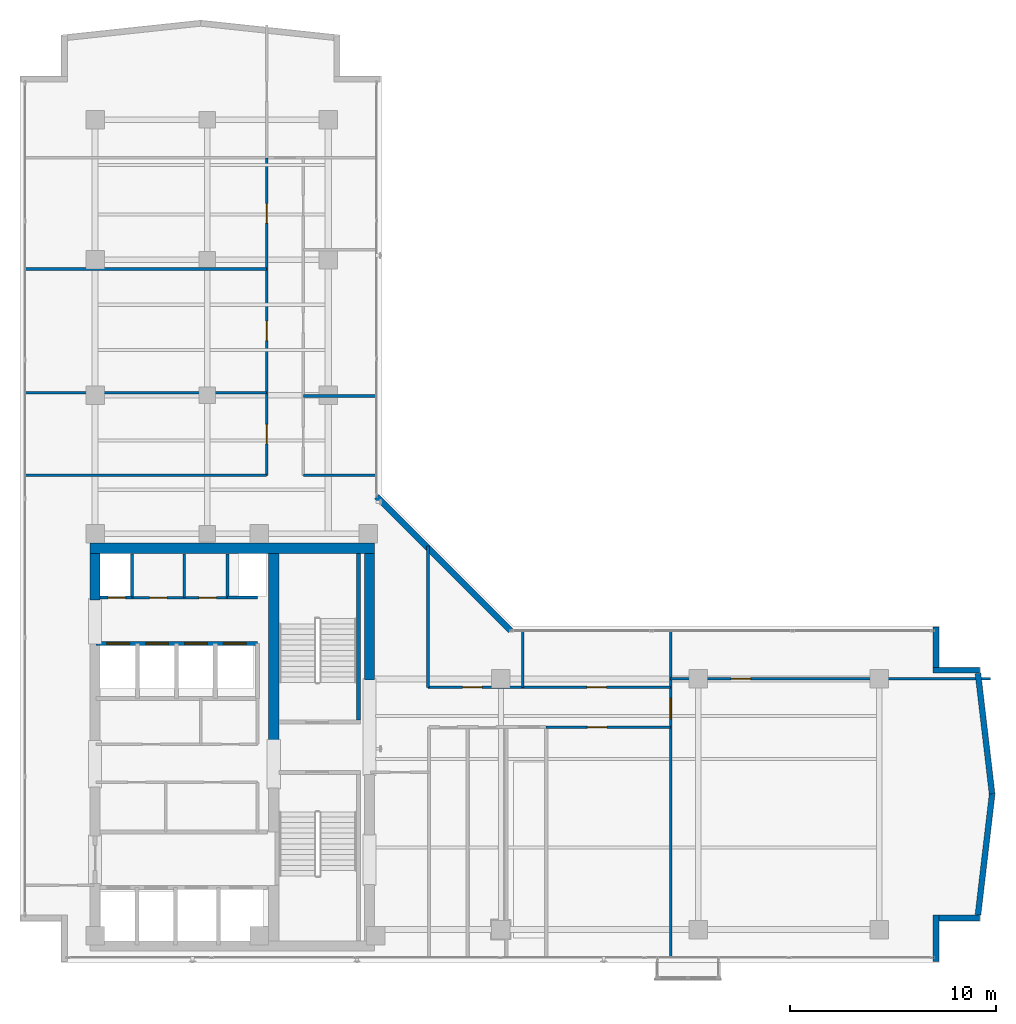
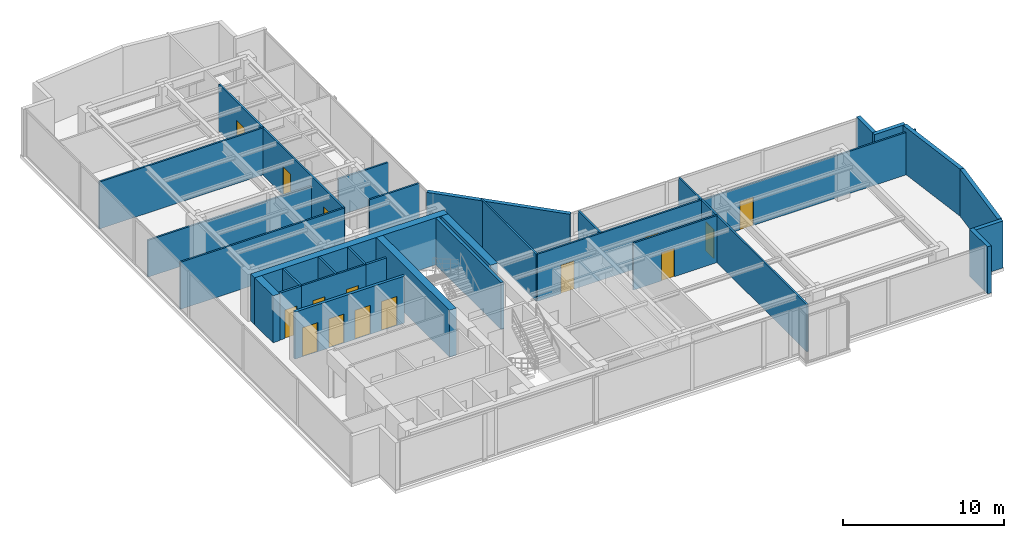
# One storey, part 18 of 23: 31 walls, 15 doors, 15 openings.
"""IFC4 building model written with IfcOpenShell, lengths in metres."""

from ifc_helpers import new_model, si_unit, direction, frame, frame_2d, origin, place, context, subcontext, project, spatial, rectangle, extrude, material, layer, layer_set, type_object, element, fill, save


model = new_model("IFC4")

# Units and contexts
model_context = context("Model", 3, precision=1e-05, world=origin(), true_north=direction((0.0, 1.0)))
body_context = subcontext(model_context, "Body", "Model", "MODEL_VIEW")
ifc_project = project(units=[si_unit("LENGTHUNIT", "METRE"), si_unit("AREAUNIT", "SQUARE_METRE"), si_unit("VOLUMEUNIT", "CUBIC_METRE"), si_unit("PLANEANGLEUNIT", "RADIAN"), si_unit("MASSUNIT", "GRAM", prefix="KILO")], contexts=[model_context])

# Site, building, storey
site_placement = place(None, origin())
site = spatial("IfcSite", under=ifc_project, at=site_placement, CompositionType="ELEMENT")
building_placement = place(site_placement, origin())
building = spatial("IfcBuilding", under=site, at=building_placement, Name="Kolvaren Waterfront Exchange", CompositionType="ELEMENT")
storey_placement = place(building_placement, frame((0.0, 0.0, 270.39990234375)))
storey = spatial("IfcBuildingStorey", under=building, at=storey_placement, Name="L69", CompositionType="ELEMENT", Elevation=270.39990234375)

# Walls
ifc_material_1 = material(Name="Precast concrete C40/50", Category="concrete")
ifc_layer_1 = layer(ifc_material_1, 0.280029296875, Name="Precast concrete C40/50")
ifc_layer_set_1 = layer_set([ifc_layer_1], Name="Precast concrete C40/50")
wall_type_1 = type_object("IfcWallType", Name="ARC-EXT-TERR-280", PredefinedType="SOLIDWALL", material=ifc_layer_set_1)
wall_1_placement = place(storey_placement, frame((48.3662109375, 3.659912109375, 0.0), z_axis=(0.0, 0.0, 1.0), x_axis=(0.0, 1.0, 0.0)))
element("IfcWall", 1, at=wall_1_placement, inside=storey, type_object=wall_type_1, Name="L69 notched corner spandrel pier SE-A", PredefinedType="SOLIDWALL", context=body_context, shape_type="SweptSolid", body=[
    extrude(rectangle(XDim=2.239990234375, YDim=0.280029296875, at=frame_2d((1.1201171875, 0.0))), origin(), (0.0, 0.0, 1.0), 3.56005859375),
])
wall_2_placement = place(storey_placement, frame((48.50634765625, 5.760009765625, 0.0), z_axis=(0.0, 0.0, 1.0), x_axis=(1.0, 0.0, 0.0)))
element("IfcWall", 2, at=wall_2_placement, inside=storey, type_object=wall_type_1, Name="L69 notched corner spandrel pier SE-B", PredefinedType="SOLIDWALL", context=body_context, shape_type="SweptSolid", body=[
    extrude(rectangle(XDim=1.9599609375, YDim=0.280029296875, at=frame_2d((0.97998046875, 0.0))), origin(), (0.0, 0.0, 1.0), 3.56005859375),
])
wall_3_placement = place(storey_placement, frame((48.3662109375, 17.94384765625, 0.0), z_axis=(0.0, 0.0, 1.0), x_axis=(0.0, 1.0, 0.0)))
element("IfcWall", 3, at=wall_3_placement, inside=storey, type_object=wall_type_1, Name="L69 notched corner spandrel pier ENE-A", PredefinedType="SOLIDWALL", context=body_context, shape_type="SweptSolid", body=[
    extrude(rectangle(XDim=1.97509765625, YDim=0.280029296875, at=frame_2d((0.987548828125, 0.0))), origin(), (0.0, 0.0, 1.0), 3.56005859375),
])
wall_4_placement = place(storey_placement, frame((48.226318359375, 17.81884765625, 0.0), z_axis=(0.0, 0.0, 1.0), x_axis=(1.0, 0.0, 0.0)))
element("IfcWall", 4, at=wall_4_placement, inside=storey, type_object=wall_type_1, Name="L69 notched corner spandrel pier ENE-B", PredefinedType="SOLIDWALL", context=body_context, shape_type="SweptSolid", body=[
    extrude(rectangle(XDim=2.239990234375, YDim=0.280029296875, at=frame_2d((1.1201171875, 0.0))), origin(), (0.0, 0.0, 1.0), 3.56005859375),
])
wall_5_placement = place(storey_placement, frame((27.663818359375, 19.75390625, 0.0), z_axis=(0.0, 0.0, 1.0), x_axis=(-0.707106781187, 0.707106781187, 0.0)))
element("IfcWall", 5, at=wall_5_placement, inside=storey, type_object=wall_type_1, Name="L69 notched corner spandrel pier ELBOW", PredefinedType="SOLIDWALL", context=body_context, shape_type="SweptSolid", body=[
    extrude(rectangle(XDim=9.20654296875, YDim=0.280029296875, at=frame_2d((4.603271484375, 0.0))), origin(), (0.0, 0.0, 1.0), 3.56005859375),
])
wall_6_placement = place(storey_placement, frame((50.40234375, 5.91650390625, 0.0), z_axis=(0.0, 0.0, 1.0), x_axis=(0.116534559493, 0.993186637266, 0.0)))
element("IfcWall", 6, at=wall_6_placement, inside=storey, type_object=wall_type_1, Name="L69 east prow faceted facade wall 1", PredefinedType="SOLIDWALL", context=body_context, shape_type="SweptSolid", body=[
    extrude(rectangle(XDim=5.912109375, YDim=0.280029296875, at=frame_2d((2.9560546875, 0.0))), origin(), (0.0, 0.0, 1.0), 3.56005859375),
])
wall_7_placement = place(storey_placement, frame((51.09130859375, 11.790771484375, 0.0), z_axis=(0.0, 0.0, 1.0), x_axis=(-0.116539339197, 0.993186076433, 0.0)))
element("IfcWall", 7, at=wall_7_placement, inside=storey, type_object=wall_type_1, Name="L69 east prow faceted facade wall 2", PredefinedType="SOLIDWALL", context=body_context, shape_type="SweptSolid", body=[
    extrude(rectangle(XDim=5.911865234375, YDim=0.280029296875, at=frame_2d((2.9560546875, 0.0))), origin(), (0.0, 0.0, 1.0), 3.56005859375),
])

# Wall, openings, doors
ifc_material_2 = material(Name="Acoustic gypsum steel stud", Category="steel")
ifc_layer_2 = layer(ifc_material_2, 0.125, Name="Acoustic gypsum steel stud")
ifc_layer_set_2 = layer_set([ifc_layer_2], Name="Acoustic gypsum steel stud")
wall_type_2 = type_object("IfcWallType", Name="ARC-PART-125", PredefinedType="PARTITIONING", material=ifc_layer_set_2)
wall_8_placement = place(storey_placement, frame((9.25, 21.35009765625, 0.0), z_axis=(0.0, 0.0, 1.0), x_axis=(1.0, 0.0, 0.0)))
wall_8 = element("IfcWall", 8, at=wall_8_placement, inside=storey, type_object=wall_type_2, Name="L69 interior wall PW-L69-SVC-HI-S", PredefinedType="PARTITIONING", context=body_context, shape_type="SweptSolid", body=[
    extrude(rectangle(XDim=4.64990234375, YDim=0.125, at=frame_2d((2.324951171875, 0.0))), origin(), (0.0, 0.0, 1.0), 3.56005859375),
])
opening_1_placement = place(wall_8_placement, frame((0.85009765625, 0.0, 0.0)))
opening_1 = element("IfcOpeningElement", 9, at=opening_1_placement, cuts=wall_8, Name="Opening D01", PredefinedType="OPENING", context=body_context, shape_type="SweptSolid", body=[
    extrude(rectangle(XDim=0.85009765625, YDim=2.14990234375, at=frame_2d((0.425048828125, 1.074951171875))), frame((0.0, 0.072509765625, 0.0), z_axis=(0.0, -1.0, 0.0), x_axis=(1.0, 0.0, 0.0)), (0.0, 0.0, 1.0), 0.14501953125),
])
opening_2_placement = place(wall_8_placement, frame((3.25, 0.0, 0.0)))
opening_2 = element("IfcOpeningElement", 10, at=opening_2_placement, cuts=wall_8, Name="Opening D01", PredefinedType="OPENING", context=body_context, shape_type="SweptSolid", body=[
    extrude(rectangle(XDim=0.85009765625, YDim=2.14990234375, at=frame_2d((0.425048828125, 1.074951171875))), frame((0.0, 0.072509765625, 0.0), z_axis=(0.0, -1.0, 0.0), x_axis=(1.0, 0.0, 0.0)), (0.0, 0.0, 1.0), 0.14501953125),
])
ifc_material_3 = material(Name="Oak veneer timber leaf", Category="wood")
door_type_1 = type_object("IfcDoorType", Name="ARC-DR-900", OperationType="NOTDEFINED", PredefinedType="DOOR", material=ifc_material_3)
door_1_placement = place(opening_1_placement, origin())
door_1 = element("IfcDoor", 11, at=door_1_placement, inside=storey, type_object=door_type_1, Name="L69 door DR-L69-SVC-DR-1 (D01)", OperationType="SINGLE_SWING_LEFT", OverallHeight=2.14990234375, OverallWidth=0.85009765625, PredefinedType="DOOR", context=body_context, shape_type="SweptSolid", body=[
    extrude(rectangle(XDim=0.85009765625, YDim=2.14990234375, at=frame_2d((0.425048828125, 1.074951171875))), frame((0.0, 0.02490234375, 0.0), z_axis=(0.0, -1.0, 0.0), x_axis=(1.0, 0.0, 0.0)), (0.0, 0.0, 1.0), 0.050048828125),
])
fill(opening_1, door_1)
door_2_placement = place(opening_2_placement, origin())
door_2 = element("IfcDoor", 12, at=door_2_placement, inside=storey, type_object=door_type_1, Name="L69 door DR-L69-SVC-DR-2 (D01)", OperationType="SINGLE_SWING_RIGHT", OverallHeight=2.14990234375, OverallWidth=0.85009765625, PredefinedType="DOOR", context=body_context, shape_type="SweptSolid", body=[
    extrude(rectangle(XDim=0.85009765625, YDim=2.14990234375, at=frame_2d((0.425048828125, 1.074951171875))), frame((0.0, 0.02490234375, 0.0), z_axis=(0.0, -1.0, 0.0), x_axis=(1.0, 0.0, 0.0)), (0.0, 0.0, 1.0), 0.050048828125),
])
fill(opening_2, door_2)

# Wall
wall_9_placement = place(storey_placement, frame((11.800048828125, 21.35009765625, 0.0), z_axis=(0.0, 0.0, 1.0), x_axis=(0.0, 1.0, 0.0)))
element("IfcWall", 13, at=wall_9_placement, inside=storey, type_object=wall_type_2, Name="L69 interior wall PW-L69-SVC-HI-M", PredefinedType="PARTITIONING", context=body_context, shape_type="SweptSolid", body=[
    extrude(rectangle(XDim=2.1298828125, YDim=0.125, at=frame_2d((1.06494140625, 0.0))), origin(), (0.0, 0.0, 1.0), 3.56005859375),
])

# Wall, opening, door
wall_10_placement = place(storey_placement, frame((29.39990234375, 15.050048828125, 0.0), z_axis=(0.0, 0.0, 1.0), x_axis=(1.0, 0.0, 0.0)))
wall_10 = element("IfcWall", 14, at=wall_10_placement, inside=storey, type_object=wall_type_2, Name="L69 interior wall PW-L69-ES-CORR", PredefinedType="PARTITIONING", context=body_context, shape_type="SweptSolid", body=[
    extrude(rectangle(XDim=6.050048828125, YDim=0.125, at=frame_2d((3.02490234375, 0.0))), origin(), (0.0, 0.0, 1.0), 3.56005859375),
])
opening_3_placement = place(wall_10_placement, frame((2.002197265625, 0.0, 0.0)))
opening_3 = element("IfcOpeningElement", 15, at=opening_3_placement, cuts=wall_10, Name="Opening D02", PredefinedType="OPENING", context=body_context, shape_type="SweptSolid", body=[
    extrude(rectangle(XDim=0.949951171875, YDim=2.14990234375, at=frame_2d((0.47509765625, 1.074951171875))), frame((0.0, 0.072509765625, 0.0), z_axis=(0.0, -1.0, 0.0), x_axis=(1.0, 0.0, 0.0)), (0.0, 0.0, 1.0), 0.14501953125),
])
ifc_material_4 = material(Name="Oak veneer acoustic timber", Category="wood")
door_type_2 = type_object("IfcDoorType", Name="ARC-DR-950", OperationType="NOTDEFINED", PredefinedType="DOOR", material=ifc_material_4)
door_3_placement = place(opening_3_placement, origin())
door_3 = element("IfcDoor", 16, at=door_3_placement, inside=storey, type_object=door_type_2, Name="L69 door DR-L69-ES-D-1 (D02)", OperationType="SINGLE_SWING_RIGHT", OverallHeight=2.14990234375, OverallWidth=0.949951171875, PredefinedType="DOOR", context=body_context, shape_type="SweptSolid", body=[
    extrude(rectangle(XDim=0.949951171875, YDim=2.14990234375, at=frame_2d((0.47509765625, 1.074951171875))), frame((0.0, 0.02490234375, 0.0), z_axis=(0.0, -1.0, 0.0), x_axis=(1.0, 0.0, 0.0)), (0.0, 0.0, 1.0), 0.050048828125),
])
fill(opening_3, door_3)

wall_11_placement = place(storey_placement, frame((35.449951171875, 3.840087890625, 0.0), z_axis=(0.0, 0.0, 1.0), x_axis=(0.0, 1.0, 0.0)))
wall_11 = element("IfcWall", 17, at=wall_11_placement, inside=storey, type_object=wall_type_2, Name="L69 interior wall PW-L69-ETIP-W", PredefinedType="PARTITIONING", context=body_context, shape_type="SweptSolid", body=[
    extrude(rectangle(XDim=15.919921875, YDim=0.125, at=frame_2d((7.9599609375, 0.0))), origin(), (0.0, 0.0, 1.0), 3.56005859375),
])
opening_4_placement = place(wall_11_placement, frame((11.610107421875, 0.0, 0.0)))
opening_4 = element("IfcOpeningElement", 18, at=opening_4_placement, cuts=wall_11, Name="Opening D03", PredefinedType="OPENING", context=body_context, shape_type="SweptSolid", body=[
    extrude(rectangle(XDim=1.0, YDim=2.199951171875, at=frame_2d((0.5, 1.10009765625))), frame((0.0, 0.072509765625, 0.0), z_axis=(0.0, -1.0, 0.0), x_axis=(1.0, 0.0, 0.0)), (0.0, 0.0, 1.0), 0.14501953125),
])
ifc_material_5 = material(Name="Oak veneer accessible timber", Category="wood")
door_type_3 = type_object("IfcDoorType", Name="ARC-DR-1000", OperationType="NOTDEFINED", PredefinedType="DOOR", material=ifc_material_5)
door_4_placement = place(opening_4_placement, origin())
door_4 = element("IfcDoor", 19, at=door_4_placement, inside=storey, type_object=door_type_3, Name="L69 door DR-L69-ETIP1-D (D03)", OperationType="SINGLE_SWING_LEFT", OverallHeight=2.199951171875, OverallWidth=1.0, PredefinedType="DOOR", context=body_context, shape_type="SweptSolid", body=[
    extrude(rectangle(XDim=1.0, YDim=2.199951171875, at=frame_2d((0.5, 1.10009765625))), frame((0.0, 0.02490234375, 0.0), z_axis=(0.0, -1.0, 0.0), x_axis=(1.0, 0.0, 0.0)), (0.0, 0.0, 1.0), 0.050048828125),
])
fill(opening_4, door_4)

wall_12_placement = place(storey_placement, frame((35.449951171875, 17.39990234375, 0.0), z_axis=(0.0, 0.0, 1.0), x_axis=(1.0, 0.0, 0.0)))
wall_12 = element("IfcWall", 20, at=wall_12_placement, inside=storey, type_object=wall_type_2, Name="L69 interior wall PW-L69-ETIP-MID", PredefinedType="PARTITIONING", context=body_context, shape_type="SweptSolid", body=[
    extrude(rectangle(XDim=15.562744140625, YDim=0.125, at=frame_2d((7.78125, 0.0))), origin(), (0.0, 0.0, 1.0), 3.2001953125),
])
opening_5_placement = place(wall_12_placement, frame((2.949951171875, 0.0, 0.0)))
opening_5 = element("IfcOpeningElement", 21, at=opening_5_placement, cuts=wall_12, Name="Opening D02", PredefinedType="OPENING", context=body_context, shape_type="SweptSolid", body=[
    extrude(rectangle(XDim=0.949951171875, YDim=2.14990234375, at=frame_2d((0.47509765625, 1.074951171875))), frame((0.0, 0.072509765625, 0.0), z_axis=(0.0, -1.0, 0.0), x_axis=(1.0, 0.0, 0.0)), (0.0, 0.0, 1.0), 0.14501953125),
])
door_5_placement = place(opening_5_placement, origin())
door_5 = element("IfcDoor", 22, at=door_5_placement, inside=storey, type_object=door_type_2, Name="L69 door DR-L69-ETIP2-D (D02)", OperationType="SINGLE_SWING_RIGHT", OverallHeight=2.14990234375, OverallWidth=0.949951171875, PredefinedType="DOOR", context=body_context, shape_type="SweptSolid", body=[
    extrude(rectangle(XDim=0.949951171875, YDim=2.14990234375, at=frame_2d((0.47509765625, 1.074951171875))), frame((0.0, 0.02490234375, 0.0), z_axis=(0.0, -1.0, 0.0), x_axis=(1.0, 0.0, 0.0)), (0.0, 0.0, 1.0), 0.050048828125),
])
fill(opening_5, door_5)

# Wall
wall_13_placement = place(storey_placement, frame((23.64990234375, 16.989990234375, 0.0), z_axis=(0.0, 0.0, 1.0), x_axis=(0.0, 1.0, 0.0)))
element("IfcWall", 23, at=wall_13_placement, inside=storey, type_object=wall_type_2, Name="L69 interior wall PW-L69-EN-W0", PredefinedType="PARTITIONING", context=body_context, shape_type="SweptSolid", body=[
    extrude(rectangle(XDim=6.8779296875, YDim=0.125, at=frame_2d((3.43896484375, 0.0))), origin(), (0.0, 0.0, 1.0), 3.56005859375),
])

# Wall, openings, doors
wall_14_placement = place(storey_placement, frame((23.64990234375, 16.989990234375, 0.0), z_axis=(0.0, 0.0, 1.0), x_axis=(1.0, 0.0, 0.0)))
wall_14 = element("IfcWall", 24, at=wall_14_placement, inside=storey, type_object=wall_type_2, Name="L69 interior wall PW-L69-EN-CORR", PredefinedType="PARTITIONING", context=body_context, shape_type="SweptSolid", body=[
    extrude(rectangle(XDim=11.800048828125, YDim=0.125, at=frame_2d((5.89990234375, 0.0))), origin(), (0.0, 0.0, 1.0), 3.56005859375),
])
opening_6_placement = place(wall_14_placement, frame((1.6826171875, 0.0, 0.0)))
opening_6 = element("IfcOpeningElement", 25, at=opening_6_placement, cuts=wall_14, Name="Opening D02", PredefinedType="OPENING", context=body_context, shape_type="SweptSolid", body=[
    extrude(rectangle(XDim=0.949951171875, YDim=2.14990234375, at=frame_2d((0.47509765625, 1.074951171875))), frame((0.0, 0.072509765625, 0.0), z_axis=(0.0, -1.0, 0.0), x_axis=(1.0, 0.0, 0.0)), (0.0, 0.0, 1.0), 0.14501953125),
])
opening_7_placement = place(wall_14_placement, frame((7.72509765625, 0.0, 0.0)))
opening_7 = element("IfcOpeningElement", 26, at=opening_7_placement, cuts=wall_14, Name="Opening D02", PredefinedType="OPENING", context=body_context, shape_type="SweptSolid", body=[
    extrude(rectangle(XDim=0.949951171875, YDim=2.14990234375, at=frame_2d((0.47509765625, 1.074951171875))), frame((0.0, 0.072509765625, 0.0), z_axis=(0.0, -1.0, 0.0), x_axis=(1.0, 0.0, 0.0)), (0.0, 0.0, 1.0), 0.14501953125),
])
door_6_placement = place(opening_6_placement, origin())
door_6 = element("IfcDoor", 27, at=door_6_placement, inside=storey, type_object=door_type_2, Name="L69 door DR-L69-EN-D-1 (D02)", OperationType="SINGLE_SWING_LEFT", OverallHeight=2.14990234375, OverallWidth=0.949951171875, PredefinedType="DOOR", context=body_context, shape_type="SweptSolid", body=[
    extrude(rectangle(XDim=0.949951171875, YDim=2.14990234375, at=frame_2d((0.47509765625, 1.074951171875))), frame((0.0, 0.02490234375, 0.0), z_axis=(0.0, -1.0, 0.0), x_axis=(1.0, 0.0, 0.0)), (0.0, 0.0, 1.0), 0.050048828125),
])
fill(opening_6, door_6)
door_7_placement = place(opening_7_placement, origin())
door_7 = element("IfcDoor", 28, at=door_7_placement, inside=storey, type_object=door_type_2, Name="L69 door DR-L69-EN-D-2 (D02)", OperationType="SINGLE_SWING_RIGHT", OverallHeight=2.14990234375, OverallWidth=0.949951171875, PredefinedType="DOOR", context=body_context, shape_type="SweptSolid", body=[
    extrude(rectangle(XDim=0.949951171875, YDim=2.14990234375, at=frame_2d((0.47509765625, 1.074951171875))), frame((0.0, 0.02490234375, 0.0), z_axis=(0.0, -1.0, 0.0), x_axis=(1.0, 0.0, 0.0)), (0.0, 0.0, 1.0), 0.050048828125),
])
fill(opening_7, door_7)

# Walls
wall_15_placement = place(storey_placement, frame((28.25, 16.989990234375, 0.0), z_axis=(0.0, 0.0, 1.0), x_axis=(0.0, 1.0, 0.0)))
element("IfcWall", 29, at=wall_15_placement, inside=storey, type_object=wall_type_2, Name="L69 interior wall PW-L69-EN-DIV-1", PredefinedType="PARTITIONING", context=body_context, shape_type="SweptSolid", body=[
    extrude(rectangle(XDim=2.77001953125, YDim=0.125, at=frame_2d((1.385009765625, 0.0))), origin(), (0.0, 0.0, 1.0), 3.56005859375),
])
wall_16_placement = place(storey_placement, frame((4.0400390625, 27.300048828125, 0.0), z_axis=(0.0, 0.0, 1.0), x_axis=(1.0, 0.0, 0.0)))
element("IfcWall", 30, at=wall_16_placement, inside=storey, type_object=wall_type_2, Name="L69 interior wall PW-L69-NW-S0", PredefinedType="PARTITIONING", context=body_context, shape_type="SweptSolid", body=[
    extrude(rectangle(XDim=11.760009765625, YDim=0.125, at=frame_2d((5.8798828125, 0.0))), origin(), (0.0, 0.0, 1.0), 3.56005859375),
])

# Wall, openings, doors
wall_17_placement = place(storey_placement, frame((15.800048828125, 27.300048828125, 0.0), z_axis=(0.0, 0.0, 1.0), x_axis=(0.0, 1.0, 0.0)))
wall_17 = element("IfcWall", 31, at=wall_17_placement, inside=storey, type_object=wall_type_2, Name="L69 interior wall PW-L69-NW-CORR", PredefinedType="PARTITIONING", context=body_context, shape_type="SweptSolid", body=[
    extrude(rectangle(XDim=15.449951171875, YDim=0.125, at=frame_2d((7.72509765625, 0.0))), origin(), (0.0, 0.0, 1.0), 3.56005859375),
])
opening_8_placement = place(wall_17_placement, frame((1.534912109375, 0.0, 0.0)))
opening_8 = element("IfcOpeningElement", 32, at=opening_8_placement, cuts=wall_17, Name="Opening D02", PredefinedType="OPENING", context=body_context, shape_type="SweptSolid", body=[
    extrude(rectangle(XDim=0.949951171875, YDim=2.14990234375, at=frame_2d((0.47509765625, 1.074951171875))), frame((0.0, 0.072509765625, 0.0), z_axis=(0.0, -1.0, 0.0), x_axis=(1.0, 0.0, 0.0)), (0.0, 0.0, 1.0), 0.14501953125),
])
opening_9_placement = place(wall_17_placement, frame((6.554931640625, 0.0, 0.0)))
opening_9 = element("IfcOpeningElement", 33, at=opening_9_placement, cuts=wall_17, Name="Opening D02", PredefinedType="OPENING", context=body_context, shape_type="SweptSolid", body=[
    extrude(rectangle(XDim=0.949951171875, YDim=2.14990234375, at=frame_2d((0.47509765625, 1.074951171875))), frame((0.0, 0.072509765625, 0.0), z_axis=(0.0, -1.0, 0.0), x_axis=(1.0, 0.0, 0.0)), (0.0, 0.0, 1.0), 0.14501953125),
])
opening_10_placement = place(wall_17_placement, frame((12.27001953125, 0.0, 0.0)))
opening_10 = element("IfcOpeningElement", 34, at=opening_10_placement, cuts=wall_17, Name="Opening D02", PredefinedType="OPENING", context=body_context, shape_type="SweptSolid", body=[
    extrude(rectangle(XDim=0.949951171875, YDim=2.14990234375, at=frame_2d((0.47509765625, 1.074951171875))), frame((0.0, 0.072509765625, 0.0), z_axis=(0.0, -1.0, 0.0), x_axis=(1.0, 0.0, 0.0)), (0.0, 0.0, 1.0), 0.14501953125),
])
door_8_placement = place(opening_8_placement, origin())
door_8 = element("IfcDoor", 35, at=door_8_placement, inside=storey, type_object=door_type_2, Name="L69 door DR-L69-NW-D-1 (D02)", OperationType="SINGLE_SWING_LEFT", OverallHeight=2.14990234375, OverallWidth=0.949951171875, PredefinedType="DOOR", context=body_context, shape_type="SweptSolid", body=[
    extrude(rectangle(XDim=0.949951171875, YDim=2.14990234375, at=frame_2d((0.47509765625, 1.074951171875))), frame((0.0, 0.02490234375, 0.0), z_axis=(0.0, -1.0, 0.0), x_axis=(1.0, 0.0, 0.0)), (0.0, 0.0, 1.0), 0.050048828125),
])
fill(opening_8, door_8)
door_9_placement = place(opening_9_placement, origin())
door_9 = element("IfcDoor", 36, at=door_9_placement, inside=storey, type_object=door_type_2, Name="L69 door DR-L69-NW-D-2 (D02)", OperationType="SINGLE_SWING_RIGHT", OverallHeight=2.14990234375, OverallWidth=0.949951171875, PredefinedType="DOOR", context=body_context, shape_type="SweptSolid", body=[
    extrude(rectangle(XDim=0.949951171875, YDim=2.14990234375, at=frame_2d((0.47509765625, 1.074951171875))), frame((0.0, 0.02490234375, 0.0), z_axis=(0.0, -1.0, 0.0), x_axis=(1.0, 0.0, 0.0)), (0.0, 0.0, 1.0), 0.050048828125),
])
fill(opening_9, door_9)
door_10_placement = place(opening_10_placement, origin())
door_10 = element("IfcDoor", 37, at=door_10_placement, inside=storey, type_object=door_type_2, Name="L69 door DR-L69-NW-D-3 (D02)", OperationType="SINGLE_SWING_LEFT", OverallHeight=2.14990234375, OverallWidth=0.949951171875, PredefinedType="DOOR", context=body_context, shape_type="SweptSolid", body=[
    extrude(rectangle(XDim=0.949951171875, YDim=2.14990234375, at=frame_2d((0.47509765625, 1.074951171875))), frame((0.0, 0.02490234375, 0.0), z_axis=(0.0, -1.0, 0.0), x_axis=(1.0, 0.0, 0.0)), (0.0, 0.0, 1.0), 0.050048828125),
])
fill(opening_10, door_10)

# Walls
wall_18_placement = place(storey_placement, frame((4.0400390625, 31.320068359375, 0.0), z_axis=(0.0, 0.0, 1.0), x_axis=(1.0, 0.0, 0.0)))
element("IfcWall", 38, at=wall_18_placement, inside=storey, type_object=wall_type_2, Name="L69 interior wall PW-L69-NW-DIV-1", PredefinedType="PARTITIONING", context=body_context, shape_type="SweptSolid", body=[
    extrude(rectangle(XDim=11.760009765625, YDim=0.125, at=frame_2d((5.8798828125, 0.0))), origin(), (0.0, 0.0, 1.0), 2.798095703125),
])
wall_19_placement = place(storey_placement, frame((4.0400390625, 37.340087890625, 0.0), z_axis=(0.0, 0.0, 1.0), x_axis=(1.0, 0.0, 0.0)))
element("IfcWall", 39, at=wall_19_placement, inside=storey, type_object=wall_type_2, Name="L69 interior wall PW-L69-NW-DIV-2", PredefinedType="PARTITIONING", context=body_context, shape_type="SweptSolid", body=[
    extrude(rectangle(XDim=11.760009765625, YDim=0.125, at=frame_2d((5.8798828125, 0.0))), origin(), (0.0, 0.0, 1.0), 3.56005859375),
])
wall_20_placement = place(storey_placement, frame((17.580078125, 27.300048828125, 0.0), z_axis=(0.0, 0.0, 1.0), x_axis=(1.0, 0.0, 0.0)))
element("IfcWall", 40, at=wall_20_placement, inside=storey, type_object=wall_type_2, Name="L69 interior wall PW-L69-NE-S0", PredefinedType="PARTITIONING", context=body_context, shape_type="SweptSolid", body=[
    extrude(rectangle(XDim=3.579833984375, YDim=0.125, at=frame_2d((1.7900390625, 0.0))), origin(), (0.0, 0.0, 1.0), 3.56005859375),
])
wall_21_placement = place(storey_placement, frame((17.580078125, 31.159912109375, 0.0), z_axis=(0.0, 0.0, 1.0), x_axis=(1.0, 0.0, 0.0)))
element("IfcWall", 41, at=wall_21_placement, inside=storey, type_object=wall_type_2, Name="L69 interior wall PW-L69-NE-DIV-1", PredefinedType="PARTITIONING", context=body_context, shape_type="SweptSolid", body=[
    extrude(rectangle(XDim=3.579833984375, YDim=0.125, at=frame_2d((1.7900390625, 0.0))), origin(), (0.0, 0.0, 1.0), 2.798095703125),
])
ifc_material_6 = material(Name="Gypsum fireboard steel stud", Category="steel")
ifc_layer_3 = layer(ifc_material_6, 0.14990234375, Name="Gypsum fireboard steel stud")
ifc_layer_set_3 = layer_set([ifc_layer_3], Name="Gypsum fireboard steel stud")
wall_type_3 = type_object("IfcWallType", Name="ARC-PART-150", PredefinedType="PARTITIONING", material=ifc_layer_set_3)
for number, where, z_axis, x_axis, name in (
    (42, (9.25, 21.35009765625, 0.0), (0.0, 0.0, 1.0), (0.0, 1.0, 0.0), "L69 interior wall PW-L69-SVC-R1"),
    (43, (13.89990234375, 21.35009765625, 0.0), (0.0, 0.0, 1.0), (0.0, 1.0, 0.0), "L69 interior wall PW-L69-SVC-R2"),
):
    element("IfcWall", number, at=place(storey_placement, frame(where, z_axis=z_axis, x_axis=x_axis)), inside=storey, type_object=wall_type_3, Name=name, PredefinedType="PARTITIONING", context=body_context, shape_type="SweptSolid", body=[
        extrude(rectangle(XDim=2.1298828125, YDim=0.14990234375, at=frame_2d((1.06494140625, 0.0))), origin(), (0.0, 0.0, 1.0), 3.56005859375),
    ])

# Wall, opening, door
wall_22_placement = place(storey_placement, frame((7.699951171875, 21.35009765625, 0.0), z_axis=(0.0, 0.0, 1.0), x_axis=(1.0, 0.0, 0.0)))
wall_22 = element("IfcWall", 44, at=wall_22_placement, inside=storey, type_object=wall_type_3, Name="L69 interior wall PW-L69-SVC-RE-S", PredefinedType="PARTITIONING", context=body_context, shape_type="SweptSolid", body=[
    extrude(rectangle(XDim=1.550048828125, YDim=0.14990234375, at=frame_2d((0.77490234375, 0.0))), origin(), (0.0, 0.0, 1.0), 3.56005859375),
])
opening_11_placement = place(wall_22_placement, frame((0.389892578125, 0.0, 0.0)))
opening_11 = element("IfcOpeningElement", 45, at=opening_11_placement, cuts=wall_22, Name="Opening FD1", PredefinedType="OPENING", context=body_context, shape_type="SweptSolid", body=[
    extrude(rectangle(XDim=0.85009765625, YDim=2.14990234375, at=frame_2d((0.425048828125, 1.074951171875))), frame((0.0, 0.0849609375, 0.0), z_axis=(0.0, -1.0, 0.0), x_axis=(1.0, 0.0, 0.0)), (0.0, 0.0, 1.0), 0.169921875),
])
ifc_material_7 = material(Name="Pressed steel fire leaf", Category="steel")
door_type_4 = type_object("IfcDoorType", Name="ARC-FD-900", OperationType="NOTDEFINED", PredefinedType="DOOR", material=ifc_material_7)
door_11_placement = place(opening_11_placement, origin())
door_11 = element("IfcDoor", 46, at=door_11_placement, inside=storey, type_object=door_type_4, Name="L69 door DR-L69-RISER-E-DR (FD1)", OperationType="SINGLE_SWING_RIGHT", OverallHeight=2.14990234375, OverallWidth=0.85009765625, PredefinedType="DOOR", context=body_context, shape_type="SweptSolid", body=[
    extrude(rectangle(XDim=0.85009765625, YDim=2.14990234375, at=frame_2d((0.425048828125, 1.074951171875))), frame((0.0, 0.02490234375, 0.0), z_axis=(0.0, -1.0, 0.0), x_axis=(1.0, 0.0, 0.0)), (0.0, 0.0, 1.0), 0.050048828125),
])
fill(opening_11, door_11)

# Walls
wall_23_placement = place(storey_placement, frame((13.89990234375, 21.35009765625, 0.0), z_axis=(0.0, 0.0, 1.0), x_axis=(1.0, 0.0, 0.0)))
element("IfcWall", 47, at=wall_23_placement, inside=storey, type_object=wall_type_3, Name="L69 interior wall PW-L69-SVC-RP-S", PredefinedType="PARTITIONING", context=body_context, shape_type="SweptSolid", body=[
    extrude(rectangle(XDim=1.4501953125, YDim=0.14990234375, at=frame_2d((0.72509765625, 0.0))), origin(), (0.0, 0.0, 1.0), 3.56005859375),
])
ifc_material_8 = material(Name="Concrete C40/50", Category="concrete")
ifc_layer_4 = layer(ifc_material_8, 0.199951171875, Name="Concrete C40/50")
ifc_layer_set_4 = layer_set([ifc_layer_4], Name="Concrete C40/50")
wall_type_4 = type_object("IfcWallType", Name="ARC-SHAFT-200", PredefinedType="PARTITIONING", material=ifc_layer_set_4)
wall_24_placement = place(storey_placement, frame((20.260009765625, 15.39990234375, 0.0), z_axis=(0.0, 0.0, 1.0), x_axis=(0.0, 1.0, 0.0)))
element("IfcWall", 48, at=wall_24_placement, inside=storey, type_object=wall_type_4, Name="L69 structural stairwell wall PW-L69-ST2-E", PredefinedType="SHEAR", context=body_context, shape_type="SweptSolid", body=[
    extrude(rectangle(XDim=8.090087890625, YDim=0.199951171875, at=frame_2d((4.044921875, 0.0))), origin(), (0.0, 0.0, 1.0), 3.56005859375),
])

# Wall, openings, doors
wall_25_placement = place(storey_placement, frame((7.5, 19.1201171875, 0.0), z_axis=(0.0, 0.0, 1.0), x_axis=(1.0, 0.0, 0.0)))
wall_25 = element("IfcWall", 49, at=wall_25_placement, inside=storey, type_object=wall_type_4, Name="L69 interior wall PW-L69-PH-N", PredefinedType="PARTITIONING", context=body_context, shape_type="SweptSolid", body=[
    extrude(rectangle(XDim=7.85009765625, YDim=0.199951171875, at=frame_2d((3.925048828125, 0.0))), origin(), (0.0, 0.0, 1.0), 3.56005859375),
])
opening_12_placement = place(wall_25_placement, frame((0.530029296875, 0.0, 0.0)))
opening_12 = element("IfcOpeningElement", 50, at=opening_12_placement, cuts=wall_25, Name="Opening LD2", PredefinedType="OPENING", context=body_context, shape_type="SweptSolid", body=[
    extrude(rectangle(XDim=1.10009765625, YDim=2.199951171875, at=frame_2d((0.550048828125, 1.10009765625))), frame((0.0, 0.10986328125, 0.0), z_axis=(0.0, -1.0, 0.0), x_axis=(1.0, 0.0, 0.0)), (0.0, 0.0, 1.0), 0.219970703125),
])
opening_13_placement = place(wall_25_placement, frame((2.419921875, 0.0, 0.0)))
opening_13 = element("IfcOpeningElement", 51, at=opening_13_placement, cuts=wall_25, Name="Opening LD2", PredefinedType="OPENING", context=body_context, shape_type="SweptSolid", body=[
    extrude(rectangle(XDim=1.10009765625, YDim=2.199951171875, at=frame_2d((0.550048828125, 1.10009765625))), frame((0.0, 0.10986328125, 0.0), z_axis=(0.0, -1.0, 0.0), x_axis=(1.0, 0.0, 0.0)), (0.0, 0.0, 1.0), 0.219970703125),
])
opening_14_placement = place(wall_25_placement, frame((4.31005859375, 0.0, 0.0)))
opening_14 = element("IfcOpeningElement", 52, at=opening_14_placement, cuts=wall_25, Name="Opening LD2", PredefinedType="OPENING", context=body_context, shape_type="SweptSolid", body=[
    extrude(rectangle(XDim=1.10009765625, YDim=2.199951171875, at=frame_2d((0.550048828125, 1.10009765625))), frame((0.0, 0.10986328125, 0.0), z_axis=(0.0, -1.0, 0.0), x_axis=(1.0, 0.0, 0.0)), (0.0, 0.0, 1.0), 0.219970703125),
])
opening_15_placement = place(wall_25_placement, frame((6.199951171875, 0.0, 0.0)))
opening_15 = element("IfcOpeningElement", 53, at=opening_15_placement, cuts=wall_25, Name="Opening LD2", PredefinedType="OPENING", context=body_context, shape_type="SweptSolid", body=[
    extrude(rectangle(XDim=1.10009765625, YDim=2.199951171875, at=frame_2d((0.550048828125, 1.10009765625))), frame((0.0, 0.10986328125, 0.0), z_axis=(0.0, -1.0, 0.0), x_axis=(1.0, 0.0, 0.0)), (0.0, 0.0, 1.0), 0.219970703125),
])
ifc_material_9 = material(Name="Brushed bronze sliding landing door", Category="aluminium")
door_type_5 = type_object("IfcDoorType", Name="ARC-LD-PAX", OperationType="SLIDING_TO_LEFT", PredefinedType="DOOR", material=ifc_material_9)
door_12_placement = place(opening_12_placement, origin())
door_12 = element("IfcDoor", 54, at=door_12_placement, inside=storey, type_object=door_type_5, Name="L69 door LD-L69-PH1 (LD2)", OperationType="SLIDING_TO_LEFT", OverallHeight=2.199951171875, OverallWidth=1.10009765625, PredefinedType="DOOR", context=body_context, shape_type="SweptSolid", body=[
    extrude(rectangle(XDim=1.10009765625, YDim=2.199951171875, at=frame_2d((0.550048828125, 1.10009765625))), frame((0.0, 0.02490234375, 0.0), z_axis=(0.0, -1.0, 0.0), x_axis=(1.0, 0.0, 0.0)), (0.0, 0.0, 1.0), 0.050048828125),
])
fill(opening_12, door_12)
door_13_placement = place(opening_13_placement, origin())
door_13 = element("IfcDoor", 55, at=door_13_placement, inside=storey, type_object=door_type_5, Name="L69 door LD-L69-PH2 (LD2)", OperationType="SLIDING_TO_LEFT", OverallHeight=2.199951171875, OverallWidth=1.10009765625, PredefinedType="DOOR", context=body_context, shape_type="SweptSolid", body=[
    extrude(rectangle(XDim=1.10009765625, YDim=2.199951171875, at=frame_2d((0.550048828125, 1.10009765625))), frame((0.0, 0.02490234375, 0.0), z_axis=(0.0, -1.0, 0.0), x_axis=(1.0, 0.0, 0.0)), (0.0, 0.0, 1.0), 0.050048828125),
])
fill(opening_13, door_13)
door_14_placement = place(opening_14_placement, origin())
door_14 = element("IfcDoor", 56, at=door_14_placement, inside=storey, type_object=door_type_5, Name="L69 door LD-L69-PH3 (LD2)", OperationType="SLIDING_TO_LEFT", OverallHeight=2.199951171875, OverallWidth=1.10009765625, PredefinedType="DOOR", context=body_context, shape_type="SweptSolid", body=[
    extrude(rectangle(XDim=1.10009765625, YDim=2.199951171875, at=frame_2d((0.550048828125, 1.10009765625))), frame((0.0, 0.02490234375, 0.0), z_axis=(0.0, -1.0, 0.0), x_axis=(1.0, 0.0, 0.0)), (0.0, 0.0, 1.0), 0.050048828125),
])
fill(opening_14, door_14)
door_15_placement = place(opening_15_placement, origin())
door_15 = element("IfcDoor", 57, at=door_15_placement, inside=storey, type_object=door_type_5, Name="L69 door LD-L69-PH4 (LD2)", OperationType="SLIDING_TO_LEFT", OverallHeight=2.199951171875, OverallWidth=1.10009765625, PredefinedType="DOOR", context=body_context, shape_type="SweptSolid", body=[
    extrude(rectangle(XDim=1.10009765625, YDim=2.199951171875, at=frame_2d((0.550048828125, 1.10009765625))), frame((0.0, 0.02490234375, 0.0), z_axis=(0.0, -1.0, 0.0), x_axis=(1.0, 0.0, 0.0)), (0.0, 0.0, 1.0), 0.050048828125),
])
fill(opening_15, door_15)

# Walls
ifc_material_10 = material(Name="Concrete C50/60", Category="concrete")
ifc_layer_5 = layer(ifc_material_10, 0.5, Name="Concrete C50/60")
ifc_layer_set_5 = layer_set([ifc_layer_5], Name="Concrete C50/60")
wall_type_5 = type_object("IfcWallType", Name="STR-CWALL-500", PredefinedType="SHEAR", material=ifc_layer_set_5)
wall_26_placement = place(storey_placement, frame((7.199951171875, 23.75, 0.0), z_axis=(0.0, 0.0, 1.0), x_axis=(1.0, 0.0, 0.0)))
element("IfcWall", 58, at=wall_26_placement, inside=storey, type_object=wall_type_5, Name="L69 rear-core shear wall N", PredefinedType="SHEAR", context=body_context, shape_type="SweptSolid", body=[
    extrude(rectangle(XDim=13.85009765625, YDim=0.5, at=frame_2d((6.925048828125, 0.0))), origin(), (0.0, 0.0, 1.0), 3.56005859375),
])
wall_27_placement = place(storey_placement, frame((7.449951171875, 21.239990234375, 0.0), z_axis=(0.0, 0.0, 1.0), x_axis=(0.0, 1.0, 0.0)))
element("IfcWall", 59, at=wall_27_placement, inside=storey, type_object=wall_type_5, Name="L69 rear-core shear wall W3", PredefinedType="SHEAR", context=body_context, shape_type="SweptSolid", body=[
    extrude(rectangle(XDim=2.260009765625, YDim=0.5, at=frame_2d((1.1298828125, 0.0))), origin(), (0.0, 0.0, 1.0), 3.56005859375),
])
wall_28_placement = place(storey_placement, frame((20.800048828125, 17.35009765625, 0.0), z_axis=(0.0, 0.0, 1.0), x_axis=(0.0, 1.0, 0.0)))
element("IfcWall", 60, at=wall_28_placement, inside=storey, type_object=wall_type_5, Name="L69 rear-core shear wall E3", PredefinedType="SHEAR", context=body_context, shape_type="SweptSolid", body=[
    extrude(rectangle(XDim=6.14990234375, YDim=0.5, at=frame_2d((3.074951171875, 0.0))), origin(), (0.0, 0.0, 1.0), 3.56005859375),
])
wall_29_placement = place(storey_placement, frame((16.14990234375, 14.39990234375, 0.0), z_axis=(0.0, 0.0, 1.0), x_axis=(0.0, 1.0, 0.0)))
element("IfcWall", 61, at=wall_29_placement, inside=storey, type_object=wall_type_5, Name="L69 rear-core shear wall M3", PredefinedType="SHEAR", context=body_context, shape_type="SweptSolid", body=[
    extrude(rectangle(XDim=9.10009765625, YDim=0.5, at=frame_2d((4.550048828125, 0.0))), origin(), (0.0, 0.0, 1.0), 3.56005859375),
])

save(model, "model.ifc")
